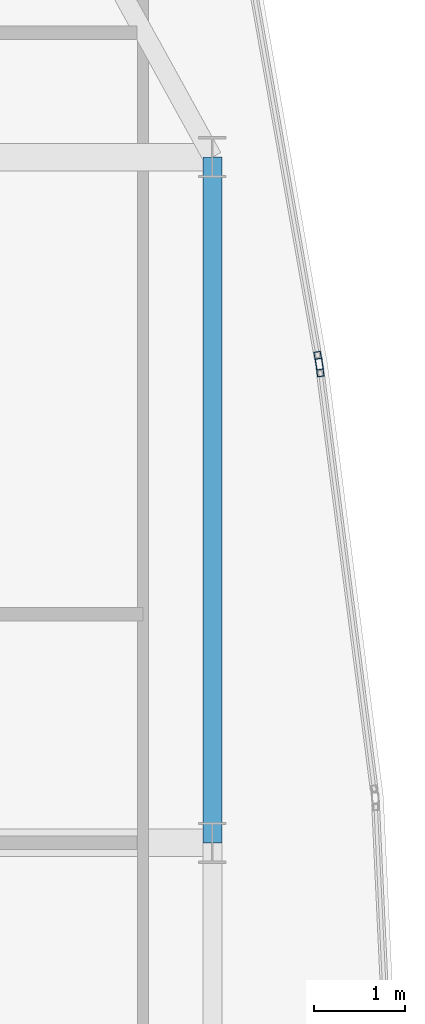
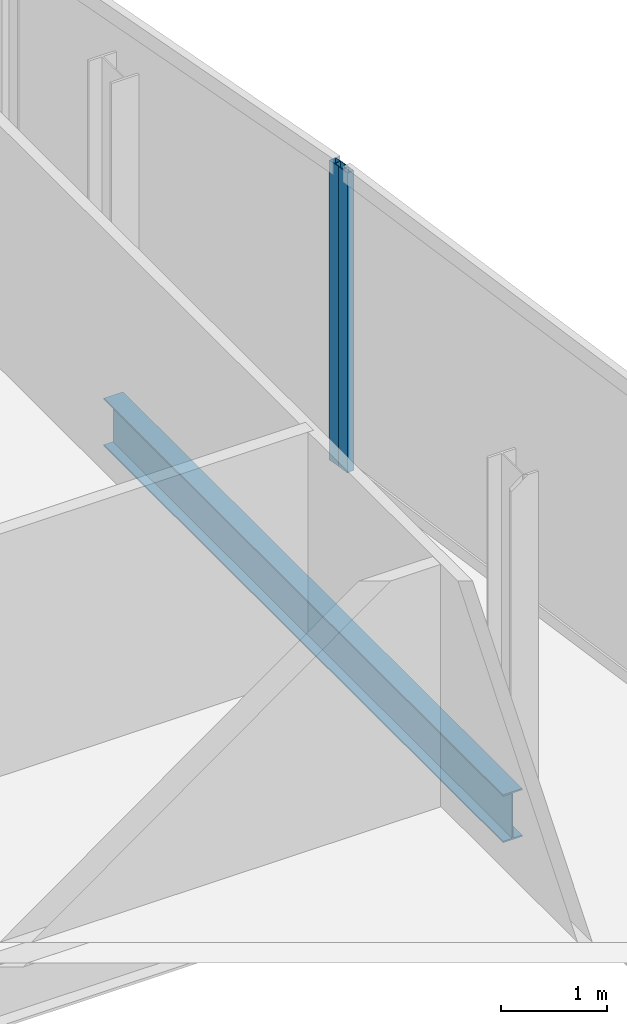
# One storey, part 19 of 30: 2 members, 1 beam, 2 elements without a shape of their own.
"""IFC4 building model written with IfcOpenShell, lengths in metres."""

from ifc_helpers import new_model, si_unit, direction, frame, origin, origin_2d, place, context, subcontext, project, spatial, hollow_rectangle, i_section, extrude, material, material_profile, profile_set, type_object, element, aggregate, save


model = new_model("IFC4")

# Units and contexts
model_context = context("Model", 3, precision=1e-05, world=origin(), true_north=direction((0.0, 1.0)))
body_context = subcontext(model_context, "Body", "Model", "MODEL_VIEW")
ifc_project = project(units=[si_unit("LENGTHUNIT", "METRE"), si_unit("AREAUNIT", "SQUARE_METRE"), si_unit("VOLUMEUNIT", "CUBIC_METRE"), si_unit("PLANEANGLEUNIT", "RADIAN"), si_unit("MASSUNIT", "GRAM", prefix="KILO")], contexts=[model_context])

# Site, building, storey
site_placement = place(None, origin())
site = spatial("IfcSite", under=ifc_project, at=site_placement, CompositionType="ELEMENT")
building_placement = place(site_placement, origin())
building = spatial("IfcBuilding", under=site, at=building_placement, Name="Khoronbel Lancet Exchange", CompositionType="ELEMENT")
storey_placement = place(building_placement, frame((0.0, 0.0, 277.0)))
storey = spatial("IfcBuildingStorey", under=building, at=storey_placement, Name="L71", CompositionType="ELEMENT", Elevation=277.0)

# Beam
ifc_material_1 = material(Name="Steel S355", Category="steel")
ifc_material_profile_1 = material_profile(ifc_material_1, i_section(OverallWidth=0.2099609375, OverallDepth=0.550048828125, WebThickness=0.010986328125, FlangeThickness=0.01708984375, at=origin_2d()), Name="IPE 550")
ifc_profile_set_1 = profile_set([ifc_material_profile_1], Name="Steel S355")
beam_type = type_object("IfcBeamType", Name="BM-BSP3", PredefinedType="SPANDREL", material=ifc_profile_set_1)
beam_placement = place(storey_placement, frame((63.6298828125, 35.699951171875, -0.43505859375), z_axis=(0.0, 1.0, 0.0), x_axis=(-1.0, 0.0, 0.0)))
element("IfcBeam", 1, at=beam_placement, inside=storey, type_object=beam_type, Name="Level L71 perimeter spandrel beam SP14", PredefinedType="SPANDREL", context=body_context, shape_type="SweptSolid", body=[
    extrude(i_section(OverallWidth=0.2099609375, OverallDepth=0.550048828125, WebThickness=0.010986328125, FlangeThickness=0.01708984375, at=origin_2d()), origin(), (0.0, 0.0, 1.0), 7.5),
])

# Curtain wall, member
ifc_material_2 = material(Name="Low-E Solar Control Insulating Glass", Category="glass")
curtain_wall_type = type_object("IfcCurtainWallType", Name="CW-4", PredefinedType="NOTDEFINED", material=ifc_material_2)
curtain_wall_1_placement = place(storey_placement, origin())
curtain_wall_1 = element("IfcCurtainWall", 2, at=curtain_wall_1_placement, inside=storey, type_object=curtain_wall_type, Name="Unitised curtain wall CW-L71-E17", PredefinedType="NOTDEFINED")
ifc_material_3 = material(Name="Bronze-Anodised Aluminium 6063-T6", Category="aluminium")
ifc_material_profile_2 = material_profile(ifc_material_3, hollow_rectangle(XDim=0.074951171875, YDim=0.199951171875, WallThickness=0.0048828125, at=origin_2d()), Name="ALU MULLION 75x200")
ifc_profile_set_2 = profile_set([ifc_material_profile_2], Name="Bronze-Anodised Aluminium 6063-T6")
member_type = type_object("IfcMemberType", Name="MEM-CWM2", PredefinedType="MULLION", material=ifc_profile_set_2)
member_1_placement = place(storey_placement, frame((64.79248046875, 40.973388671875, 0.0), z_axis=(0.0, 0.0, 1.0), x_axis=(0.984792104729, 0.173736900118, 0.0)))
member_1 = element("IfcMember", 3, at=member_1_placement, type_object=member_type, Name="CW4 mullion 2", PredefinedType="MULLION", context=body_context, shape_type="SweptSolid", body=[
    extrude(hollow_rectangle(XDim=0.074951171875, YDim=0.199951171875, WallThickness=0.0048828125, at=origin_2d()), origin(), (0.0, 0.0, 1.0), 3.43994140625),
])
aggregate(curtain_wall_1, [member_1])

curtain_wall_2_placement = place(storey_placement, origin())
curtain_wall_2 = element("IfcCurtainWall", 4, at=curtain_wall_2_placement, inside=storey, type_object=curtain_wall_type, Name="Unitised curtain wall CW-L71-E18", PredefinedType="NOTDEFINED")
member_2_placement = place(storey_placement, frame((64.8037109375, 40.899169921875, 0.0), z_axis=(0.0, 0.0, 1.0), x_axis=(0.991761083348, 0.12810134096, 0.0)))
member_2 = element("IfcMember", 5, at=member_2_placement, type_object=member_type, Name="CW4 mullion 1", PredefinedType="MULLION", context=body_context, shape_type="SweptSolid", body=[
    extrude(hollow_rectangle(XDim=0.074951171875, YDim=0.199951171875, WallThickness=0.0048828125, at=origin_2d()), origin(), (0.0, 0.0, 1.0), 3.43994140625),
])
aggregate(curtain_wall_2, [member_2])

save(model, "model.ifc")
